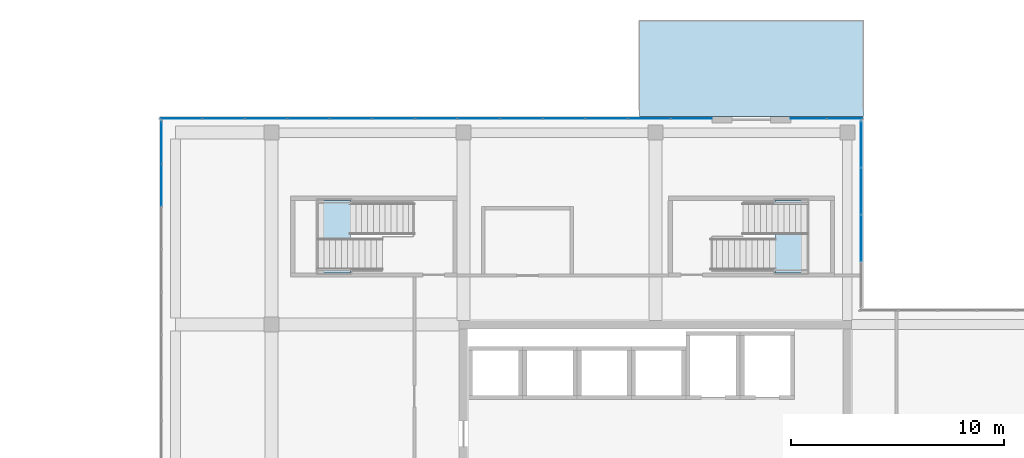
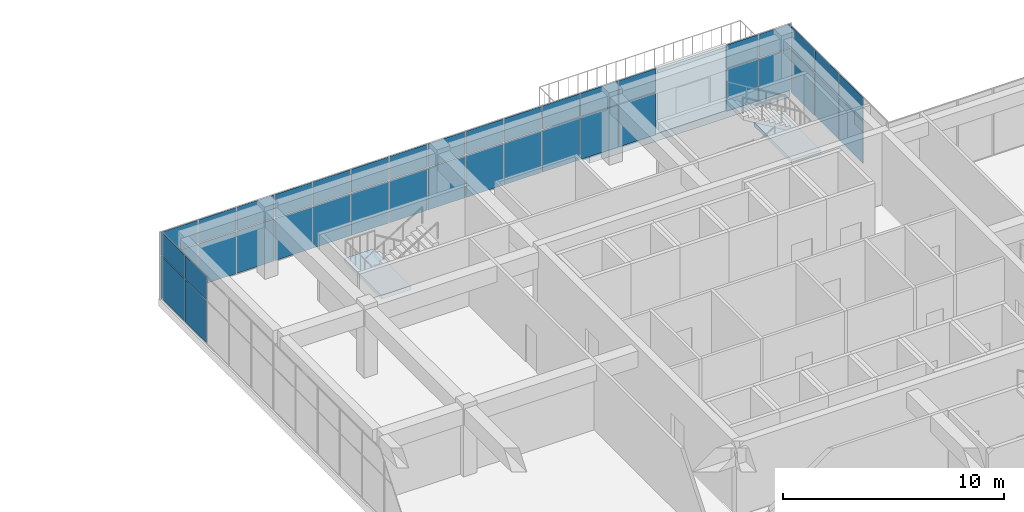
# One storey, part 38 of 49: 40 plates, 3 slabs, 6 elements without a shape of their own.
"""IFC4 building model written with IfcOpenShell, lengths in metres."""

from ifc_helpers import new_model, si_unit, direction, frame, origin, origin_2d, place, context, subcontext, project, spatial, polyline, rectangle, outline, extrude, material, layer, layer_set, type_object, element, aggregate, save


model = new_model("IFC4")

# Units and contexts
model_context = context("Model", 3, precision=1e-05, world=origin(), true_north=direction((0.0, 1.0)))
body_context = subcontext(model_context, "Body", "Model", "MODEL_VIEW")
ifc_project = project(units=[si_unit("LENGTHUNIT", "METRE"), si_unit("AREAUNIT", "SQUARE_METRE"), si_unit("VOLUMEUNIT", "CUBIC_METRE"), si_unit("PLANEANGLEUNIT", "RADIAN"), si_unit("MASSUNIT", "GRAM", prefix="KILO")], contexts=[model_context])

# Site, building, storey
site_placement = place(None, origin())
site = spatial("IfcSite", under=ifc_project, at=site_placement, CompositionType="ELEMENT")
building_placement = place(site_placement, origin())
building = spatial("IfcBuilding", under=site, at=building_placement, Name="Tuart Plaza Theatre", CompositionType="ELEMENT")
storey_placement = place(building_placement, frame((0.0, 0.0, 29.5)))
storey = spatial("IfcBuildingStorey", under=building, at=storey_placement, Name="L07", CompositionType="ELEMENT", Elevation=29.5)

# Curtain wall, plates
ifc_material_1 = material(Name="Aluminium and glass", Category="aluminium")
ifc_layer_1 = layer(ifc_material_1, 0.10009765625)
ifc_layer_set_1 = layer_set([ifc_layer_1], Name="CURTAIN WALL 2000 module")
curtain_wall_type = type_object("IfcCurtainWallType", Name="CURTAIN WALL 2000 module", PredefinedType="NOTDEFINED", material=ifc_layer_set_1)
curtain_wall_1_placement = place(storey_placement, origin())
curtain_wall_1 = element("IfcCurtainWall", 1, at=curtain_wall_1_placement, inside=storey, type_object=curtain_wall_type, Name="CW94", PredefinedType="NOTDEFINED")
ifc_material_2 = material(Name="Glass", Category="glass")
ifc_layer_2 = layer(ifc_material_2, 0.028076171875)
ifc_layer_set_2 = layer_set([ifc_layer_2], Name="CURTAIN PANEL double glazed 28")
plate_type = type_object("IfcPlateType", Name="CURTAIN PANEL double glazed 28", PredefinedType="CURTAIN_PANEL", material=ifc_layer_set_2)
plate_1_placement = place(storey_placement, frame((141.64990234375, 87.050048828125, 0.0498046875), z_axis=(0.0, 0.0, 1.0), x_axis=(0.0, 1.0, 0.0)))
plate_1 = element("IfcPlate", 2, at=plate_1_placement, type_object=plate_type, Name="CW94 panel 2.1", PredefinedType="CURTAIN_PANEL", context=body_context, shape_type="SweptSolid", body=[
    extrude(rectangle(XDim=2.14990234375, YDim=0.028076171875, at=origin_2d()), origin(), (0.0, 0.0, 1.0), 2.324951171875),
])
plate_2_placement = place(storey_placement, frame((141.64990234375, 87.050048828125, 2.425048828125), z_axis=(0.0, 0.0, 1.0), x_axis=(0.0, 1.0, 0.0)))
plate_2 = element("IfcPlate", 3, at=plate_2_placement, type_object=plate_type, Name="CW94 panel 2.2", PredefinedType="CURTAIN_PANEL", context=body_context, shape_type="SweptSolid", body=[
    extrude(rectangle(XDim=2.14990234375, YDim=0.028076171875, at=origin_2d()), origin(), (0.0, 0.0, 1.0), 1.27490234375),
])
plate_3_placement = place(storey_placement, frame((141.64990234375, 89.25, 0.0498046875), z_axis=(0.0, 0.0, 1.0), x_axis=(0.0, 1.0, 0.0)))
plate_3 = element("IfcPlate", 4, at=plate_3_placement, type_object=plate_type, Name="CW94 panel 3.1", PredefinedType="CURTAIN_PANEL", context=body_context, shape_type="SweptSolid", body=[
    extrude(rectangle(XDim=2.14990234375, YDim=0.028076171875, at=origin_2d()), origin(), (0.0, 0.0, 1.0), 2.324951171875),
])
plate_4_placement = place(storey_placement, frame((141.64990234375, 89.25, 2.425048828125), z_axis=(0.0, 0.0, 1.0), x_axis=(0.0, 1.0, 0.0)))
plate_4 = element("IfcPlate", 5, at=plate_4_placement, type_object=plate_type, Name="CW94 panel 3.2", PredefinedType="CURTAIN_PANEL", context=body_context, shape_type="SweptSolid", body=[
    extrude(rectangle(XDim=2.14990234375, YDim=0.028076171875, at=origin_2d()), origin(), (0.0, 0.0, 1.0), 1.27490234375),
])
plate_5_placement = place(storey_placement, frame((141.64990234375, 91.4375, 0.0498046875), z_axis=(0.0, 0.0, 1.0), x_axis=(0.0, 1.0, 0.0)))
plate_5 = element("IfcPlate", 6, at=plate_5_placement, type_object=plate_type, Name="CW94 panel 4.1", PredefinedType="CURTAIN_PANEL", context=body_context, shape_type="SweptSolid", body=[
    extrude(rectangle(XDim=2.125, YDim=0.028076171875, at=origin_2d()), origin(), (0.0, 0.0, 1.0), 2.324951171875),
])
plate_6_placement = place(storey_placement, frame((141.64990234375, 91.4375, 2.425048828125), z_axis=(0.0, 0.0, 1.0), x_axis=(0.0, 1.0, 0.0)))
plate_6 = element("IfcPlate", 7, at=plate_6_placement, type_object=plate_type, Name="CW94 panel 4.2", PredefinedType="CURTAIN_PANEL", context=body_context, shape_type="SweptSolid", body=[
    extrude(rectangle(XDim=2.125, YDim=0.028076171875, at=origin_2d()), origin(), (0.0, 0.0, 1.0), 1.27490234375),
])
aggregate(curtain_wall_1, [plate_1, plate_2, plate_3, plate_4, plate_5, plate_6])

curtain_wall_2_placement = place(storey_placement, origin())
curtain_wall_2 = element("IfcCurtainWall", 8, at=curtain_wall_2_placement, inside=storey, type_object=curtain_wall_type, Name="CW95", PredefinedType="NOTDEFINED")
plate_7_placement = place(storey_placement, frame((140.875, 92.64990234375, 0.0498046875), z_axis=(0.0, 0.0, 1.0), x_axis=(-1.0, 0.0, 0.0)))
plate_7 = element("IfcPlate", 9, at=plate_7_placement, type_object=plate_type, Name="CW95 panel 1.1", PredefinedType="CURTAIN_PANEL", context=body_context, shape_type="SweptSolid", body=[
    extrude(rectangle(XDim=1.64990234375, YDim=0.028076171875, at=origin_2d()), origin(), (0.0, 0.0, 1.0), 2.324951171875),
])
plate_8_placement = place(storey_placement, frame((140.875, 92.64990234375, 2.425048828125), z_axis=(0.0, 0.0, 1.0), x_axis=(-1.0, 0.0, 0.0)))
plate_8 = element("IfcPlate", 10, at=plate_8_placement, type_object=plate_type, Name="CW95 panel 1.2", PredefinedType="CURTAIN_PANEL", context=body_context, shape_type="SweptSolid", body=[
    extrude(rectangle(XDim=1.64990234375, YDim=0.028076171875, at=origin_2d()), origin(), (0.0, 0.0, 1.0), 1.27490234375),
])
plate_9_placement = place(storey_placement, frame((139.175048828125, 92.64990234375, 0.0498046875), z_axis=(0.0, 0.0, 1.0), x_axis=(-1.0, 0.0, 0.0)))
plate_9 = element("IfcPlate", 11, at=plate_9_placement, type_object=plate_type, Name="CW95 panel 2.1", PredefinedType="CURTAIN_PANEL", context=body_context, shape_type="SweptSolid", body=[
    extrude(rectangle(XDim=1.64990234375, YDim=0.028076171875, at=origin_2d()), origin(), (0.0, 0.0, 1.0), 2.324951171875),
])
plate_10_placement = place(storey_placement, frame((139.175048828125, 92.64990234375, 2.425048828125), z_axis=(0.0, 0.0, 1.0), x_axis=(-1.0, 0.0, 0.0)))
plate_10 = element("IfcPlate", 12, at=plate_10_placement, type_object=plate_type, Name="CW95 panel 2.2", PredefinedType="CURTAIN_PANEL", context=body_context, shape_type="SweptSolid", body=[
    extrude(rectangle(XDim=1.64990234375, YDim=0.028076171875, at=origin_2d()), origin(), (0.0, 0.0, 1.0), 1.27490234375),
])
aggregate(curtain_wall_2, [plate_7, plate_8, plate_9, plate_10])

curtain_wall_3_placement = place(storey_placement, origin())
curtain_wall_3 = element("IfcCurtainWall", 13, at=curtain_wall_3_placement, inside=storey, type_object=curtain_wall_type, Name="CW96", PredefinedType="NOTDEFINED")
plate_11_placement = place(storey_placement, frame((133.689453125, 92.64990234375, 0.0498046875), z_axis=(0.0, 0.0, 1.0), x_axis=(-1.0, 0.0, 0.0)))
plate_11 = element("IfcPlate", 14, at=plate_11_placement, type_object=plate_type, Name="CW96 panel 1.1", PredefinedType="CURTAIN_PANEL", context=body_context, shape_type="SweptSolid", body=[
    extrude(rectangle(XDim=1.921142578125, YDim=0.028076171875, at=origin_2d()), origin(), (0.0, 0.0, 1.0), 2.324951171875),
])
plate_12_placement = place(storey_placement, frame((133.689453125, 92.64990234375, 2.425048828125), z_axis=(0.0, 0.0, 1.0), x_axis=(-1.0, 0.0, 0.0)))
plate_12 = element("IfcPlate", 15, at=plate_12_placement, type_object=plate_type, Name="CW96 panel 1.2", PredefinedType="CURTAIN_PANEL", context=body_context, shape_type="SweptSolid", body=[
    extrude(rectangle(XDim=1.921142578125, YDim=0.028076171875, at=origin_2d()), origin(), (0.0, 0.0, 1.0), 1.27490234375),
])
plate_13_placement = place(storey_placement, frame((131.705810546875, 92.64990234375, 0.0498046875), z_axis=(0.0, 0.0, 1.0), x_axis=(-1.0, 0.0, 0.0)))
plate_13 = element("IfcPlate", 16, at=plate_13_placement, type_object=plate_type, Name="CW96 panel 2.1", PredefinedType="CURTAIN_PANEL", context=body_context, shape_type="SweptSolid", body=[
    extrude(rectangle(XDim=1.946044921875, YDim=0.028076171875, at=origin_2d()), origin(), (0.0, 0.0, 1.0), 2.324951171875),
])
plate_14_placement = place(storey_placement, frame((131.705810546875, 92.64990234375, 2.425048828125), z_axis=(0.0, 0.0, 1.0), x_axis=(-1.0, 0.0, 0.0)))
plate_14 = element("IfcPlate", 17, at=plate_14_placement, type_object=plate_type, Name="CW96 panel 2.2", PredefinedType="CURTAIN_PANEL", context=body_context, shape_type="SweptSolid", body=[
    extrude(rectangle(XDim=1.946044921875, YDim=0.028076171875, at=origin_2d()), origin(), (0.0, 0.0, 1.0), 1.27490234375),
])
plate_15_placement = place(storey_placement, frame((129.709716796875, 92.64990234375, 0.0498046875), z_axis=(0.0, 0.0, 1.0), x_axis=(-1.0, 0.0, 0.0)))
plate_15 = element("IfcPlate", 18, at=plate_15_placement, type_object=plate_type, Name="CW96 panel 3.1", PredefinedType="CURTAIN_PANEL", context=body_context, shape_type="SweptSolid", body=[
    extrude(rectangle(XDim=1.946044921875, YDim=0.028076171875, at=origin_2d()), origin(), (0.0, 0.0, 1.0), 2.324951171875),
])
plate_16_placement = place(storey_placement, frame((129.709716796875, 92.64990234375, 2.425048828125), z_axis=(0.0, 0.0, 1.0), x_axis=(-1.0, 0.0, 0.0)))
plate_16 = element("IfcPlate", 19, at=plate_16_placement, type_object=plate_type, Name="CW96 panel 3.2", PredefinedType="CURTAIN_PANEL", context=body_context, shape_type="SweptSolid", body=[
    extrude(rectangle(XDim=1.946044921875, YDim=0.028076171875, at=origin_2d()), origin(), (0.0, 0.0, 1.0), 1.27490234375),
])
plate_17_placement = place(storey_placement, frame((127.71337890625, 92.64990234375, 0.0498046875), z_axis=(0.0, 0.0, 1.0), x_axis=(-1.0, 0.0, 0.0)))
plate_17 = element("IfcPlate", 20, at=plate_17_placement, type_object=plate_type, Name="CW96 panel 4.1", PredefinedType="CURTAIN_PANEL", context=body_context, shape_type="SweptSolid", body=[
    extrude(rectangle(XDim=1.946044921875, YDim=0.028076171875, at=origin_2d()), origin(), (0.0, 0.0, 1.0), 2.324951171875),
])
plate_18_placement = place(storey_placement, frame((127.71337890625, 92.64990234375, 2.425048828125), z_axis=(0.0, 0.0, 1.0), x_axis=(-1.0, 0.0, 0.0)))
plate_18 = element("IfcPlate", 21, at=plate_18_placement, type_object=plate_type, Name="CW96 panel 4.2", PredefinedType="CURTAIN_PANEL", context=body_context, shape_type="SweptSolid", body=[
    extrude(rectangle(XDim=1.946044921875, YDim=0.028076171875, at=origin_2d()), origin(), (0.0, 0.0, 1.0), 1.27490234375),
])
plate_19_placement = place(storey_placement, frame((125.71728515625, 92.64990234375, 0.0498046875), z_axis=(0.0, 0.0, 1.0), x_axis=(-1.0, 0.0, 0.0)))
plate_19 = element("IfcPlate", 22, at=plate_19_placement, type_object=plate_type, Name="CW96 panel 5.1", PredefinedType="CURTAIN_PANEL", context=body_context, shape_type="SweptSolid", body=[
    extrude(rectangle(XDim=1.946044921875, YDim=0.028076171875, at=origin_2d()), origin(), (0.0, 0.0, 1.0), 2.324951171875),
])
plate_20_placement = place(storey_placement, frame((125.71728515625, 92.64990234375, 2.425048828125), z_axis=(0.0, 0.0, 1.0), x_axis=(-1.0, 0.0, 0.0)))
plate_20 = element("IfcPlate", 23, at=plate_20_placement, type_object=plate_type, Name="CW96 panel 5.2", PredefinedType="CURTAIN_PANEL", context=body_context, shape_type="SweptSolid", body=[
    extrude(rectangle(XDim=1.946044921875, YDim=0.028076171875, at=origin_2d()), origin(), (0.0, 0.0, 1.0), 1.27490234375),
])
plate_21_placement = place(storey_placement, frame((123.72119140625, 92.64990234375, 0.0498046875), z_axis=(0.0, 0.0, 1.0), x_axis=(-1.0, 0.0, 0.0)))
plate_21 = element("IfcPlate", 24, at=plate_21_placement, type_object=plate_type, Name="CW96 panel 6.1", PredefinedType="CURTAIN_PANEL", context=body_context, shape_type="SweptSolid", body=[
    extrude(rectangle(XDim=1.946044921875, YDim=0.028076171875, at=origin_2d()), origin(), (0.0, 0.0, 1.0), 2.324951171875),
])
plate_22_placement = place(storey_placement, frame((123.72119140625, 92.64990234375, 2.425048828125), z_axis=(0.0, 0.0, 1.0), x_axis=(-1.0, 0.0, 0.0)))
plate_22 = element("IfcPlate", 25, at=plate_22_placement, type_object=plate_type, Name="CW96 panel 6.2", PredefinedType="CURTAIN_PANEL", context=body_context, shape_type="SweptSolid", body=[
    extrude(rectangle(XDim=1.946044921875, YDim=0.028076171875, at=origin_2d()), origin(), (0.0, 0.0, 1.0), 1.27490234375),
])
plate_23_placement = place(storey_placement, frame((121.72509765625, 92.64990234375, 0.0498046875), z_axis=(0.0, 0.0, 1.0), x_axis=(-1.0, 0.0, 0.0)))
plate_23 = element("IfcPlate", 26, at=plate_23_placement, type_object=plate_type, Name="CW96 panel 7.1", PredefinedType="CURTAIN_PANEL", context=body_context, shape_type="SweptSolid", body=[
    extrude(rectangle(XDim=1.946044921875, YDim=0.028076171875, at=origin_2d()), origin(), (0.0, 0.0, 1.0), 2.324951171875),
])
plate_24_placement = place(storey_placement, frame((121.72509765625, 92.64990234375, 2.425048828125), z_axis=(0.0, 0.0, 1.0), x_axis=(-1.0, 0.0, 0.0)))
plate_24 = element("IfcPlate", 27, at=plate_24_placement, type_object=plate_type, Name="CW96 panel 7.2", PredefinedType="CURTAIN_PANEL", context=body_context, shape_type="SweptSolid", body=[
    extrude(rectangle(XDim=1.946044921875, YDim=0.028076171875, at=origin_2d()), origin(), (0.0, 0.0, 1.0), 1.27490234375),
])
plate_25_placement = place(storey_placement, frame((119.728759765625, 92.64990234375, 0.0498046875), z_axis=(0.0, 0.0, 1.0), x_axis=(-1.0, 0.0, 0.0)))
plate_25 = element("IfcPlate", 28, at=plate_25_placement, type_object=plate_type, Name="CW96 panel 8.1", PredefinedType="CURTAIN_PANEL", context=body_context, shape_type="SweptSolid", body=[
    extrude(rectangle(XDim=1.946044921875, YDim=0.028076171875, at=origin_2d()), origin(), (0.0, 0.0, 1.0), 2.324951171875),
])
plate_26_placement = place(storey_placement, frame((119.728759765625, 92.64990234375, 2.425048828125), z_axis=(0.0, 0.0, 1.0), x_axis=(-1.0, 0.0, 0.0)))
plate_26 = element("IfcPlate", 29, at=plate_26_placement, type_object=plate_type, Name="CW96 panel 8.2", PredefinedType="CURTAIN_PANEL", context=body_context, shape_type="SweptSolid", body=[
    extrude(rectangle(XDim=1.946044921875, YDim=0.028076171875, at=origin_2d()), origin(), (0.0, 0.0, 1.0), 1.27490234375),
])
plate_27_placement = place(storey_placement, frame((117.732666015625, 92.64990234375, 0.0498046875), z_axis=(0.0, 0.0, 1.0), x_axis=(-1.0, 0.0, 0.0)))
plate_27 = element("IfcPlate", 30, at=plate_27_placement, type_object=plate_type, Name="CW96 panel 9.1", PredefinedType="CURTAIN_PANEL", context=body_context, shape_type="SweptSolid", body=[
    extrude(rectangle(XDim=1.946044921875, YDim=0.028076171875, at=origin_2d()), origin(), (0.0, 0.0, 1.0), 2.324951171875),
])
plate_28_placement = place(storey_placement, frame((117.732666015625, 92.64990234375, 2.425048828125), z_axis=(0.0, 0.0, 1.0), x_axis=(-1.0, 0.0, 0.0)))
plate_28 = element("IfcPlate", 31, at=plate_28_placement, type_object=plate_type, Name="CW96 panel 9.2", PredefinedType="CURTAIN_PANEL", context=body_context, shape_type="SweptSolid", body=[
    extrude(rectangle(XDim=1.946044921875, YDim=0.028076171875, at=origin_2d()), origin(), (0.0, 0.0, 1.0), 1.27490234375),
])
plate_29_placement = place(storey_placement, frame((115.736572265625, 92.64990234375, 0.0498046875), z_axis=(0.0, 0.0, 1.0), x_axis=(-1.0, 0.0, 0.0)))
plate_29 = element("IfcPlate", 32, at=plate_29_placement, type_object=plate_type, Name="CW96 panel 10.1", PredefinedType="CURTAIN_PANEL", context=body_context, shape_type="SweptSolid", body=[
    extrude(rectangle(XDim=1.946044921875, YDim=0.028076171875, at=origin_2d()), origin(), (0.0, 0.0, 1.0), 2.324951171875),
])
plate_30_placement = place(storey_placement, frame((115.736572265625, 92.64990234375, 2.425048828125), z_axis=(0.0, 0.0, 1.0), x_axis=(-1.0, 0.0, 0.0)))
plate_30 = element("IfcPlate", 33, at=plate_30_placement, type_object=plate_type, Name="CW96 panel 10.2", PredefinedType="CURTAIN_PANEL", context=body_context, shape_type="SweptSolid", body=[
    extrude(rectangle(XDim=1.946044921875, YDim=0.028076171875, at=origin_2d()), origin(), (0.0, 0.0, 1.0), 1.27490234375),
])
plate_31_placement = place(storey_placement, frame((113.740478515625, 92.64990234375, 0.0498046875), z_axis=(0.0, 0.0, 1.0), x_axis=(-1.0, 0.0, 0.0)))
plate_31 = element("IfcPlate", 34, at=plate_31_placement, type_object=plate_type, Name="CW96 panel 11.1", PredefinedType="CURTAIN_PANEL", context=body_context, shape_type="SweptSolid", body=[
    extrude(rectangle(XDim=1.946044921875, YDim=0.028076171875, at=origin_2d()), origin(), (0.0, 0.0, 1.0), 2.324951171875),
])
plate_32_placement = place(storey_placement, frame((113.740478515625, 92.64990234375, 2.425048828125), z_axis=(0.0, 0.0, 1.0), x_axis=(-1.0, 0.0, 0.0)))
plate_32 = element("IfcPlate", 35, at=plate_32_placement, type_object=plate_type, Name="CW96 panel 11.2", PredefinedType="CURTAIN_PANEL", context=body_context, shape_type="SweptSolid", body=[
    extrude(rectangle(XDim=1.946044921875, YDim=0.028076171875, at=origin_2d()), origin(), (0.0, 0.0, 1.0), 1.27490234375),
])
plate_33_placement = place(storey_placement, frame((111.744140625, 92.64990234375, 0.0498046875), z_axis=(0.0, 0.0, 1.0), x_axis=(-1.0, 0.0, 0.0)))
plate_33 = element("IfcPlate", 36, at=plate_33_placement, type_object=plate_type, Name="CW96 panel 12.1", PredefinedType="CURTAIN_PANEL", context=body_context, shape_type="SweptSolid", body=[
    extrude(rectangle(XDim=1.946044921875, YDim=0.028076171875, at=origin_2d()), origin(), (0.0, 0.0, 1.0), 2.324951171875),
])
plate_34_placement = place(storey_placement, frame((111.744140625, 92.64990234375, 2.425048828125), z_axis=(0.0, 0.0, 1.0), x_axis=(-1.0, 0.0, 0.0)))
plate_34 = element("IfcPlate", 37, at=plate_34_placement, type_object=plate_type, Name="CW96 panel 12.2", PredefinedType="CURTAIN_PANEL", context=body_context, shape_type="SweptSolid", body=[
    extrude(rectangle(XDim=1.946044921875, YDim=0.028076171875, at=origin_2d()), origin(), (0.0, 0.0, 1.0), 1.27490234375),
])
plate_35_placement = place(storey_placement, frame((109.760498046875, 92.64990234375, 0.0498046875), z_axis=(0.0, 0.0, 1.0), x_axis=(-1.0, 0.0, 0.0)))
plate_35 = element("IfcPlate", 38, at=plate_35_placement, type_object=plate_type, Name="CW96 panel 13.1", PredefinedType="CURTAIN_PANEL", context=body_context, shape_type="SweptSolid", body=[
    extrude(rectangle(XDim=1.921142578125, YDim=0.028076171875, at=origin_2d()), origin(), (0.0, 0.0, 1.0), 2.324951171875),
])
plate_36_placement = place(storey_placement, frame((109.760498046875, 92.64990234375, 2.425048828125), z_axis=(0.0, 0.0, 1.0), x_axis=(-1.0, 0.0, 0.0)))
plate_36 = element("IfcPlate", 39, at=plate_36_placement, type_object=plate_type, Name="CW96 panel 13.2", PredefinedType="CURTAIN_PANEL", context=body_context, shape_type="SweptSolid", body=[
    extrude(rectangle(XDim=1.921142578125, YDim=0.028076171875, at=origin_2d()), origin(), (0.0, 0.0, 1.0), 1.27490234375),
])
aggregate(curtain_wall_3, [plate_11, plate_12, plate_13, plate_14, plate_15, plate_16, plate_17, plate_18, plate_19, plate_20, plate_21, plate_22, plate_23, plate_24, plate_25, plate_26, plate_27, plate_28, plate_29, plate_30, plate_31, plate_32, plate_33, plate_34, plate_35, plate_36])

curtain_wall_4_placement = place(storey_placement, origin())
curtain_wall_4 = element("IfcCurtainWall", 40, at=curtain_wall_4_placement, inside=storey, type_object=curtain_wall_type, Name="CW97", PredefinedType="NOTDEFINED")
plate_37_placement = place(storey_placement, frame((108.85009765625, 91.533935546875, 0.0498046875), z_axis=(0.0, 0.0, 1.0), x_axis=(0.0, -1.0, 0.0)))
plate_37 = element("IfcPlate", 41, at=plate_37_placement, type_object=plate_type, Name="CW97 panel 1.1", PredefinedType="CURTAIN_PANEL", context=body_context, shape_type="SweptSolid", body=[
    extrude(rectangle(XDim=1.93212890625, YDim=0.028076171875, at=origin_2d()), origin(), (0.0, 0.0, 1.0), 2.324951171875),
])
plate_38_placement = place(storey_placement, frame((108.85009765625, 91.533935546875, 2.425048828125), z_axis=(0.0, 0.0, 1.0), x_axis=(0.0, -1.0, 0.0)))
plate_38 = element("IfcPlate", 42, at=plate_38_placement, type_object=plate_type, Name="CW97 panel 1.2", PredefinedType="CURTAIN_PANEL", context=body_context, shape_type="SweptSolid", body=[
    extrude(rectangle(XDim=1.93212890625, YDim=0.028076171875, at=origin_2d()), origin(), (0.0, 0.0, 1.0), 1.27490234375),
])
plate_39_placement = place(storey_placement, frame((108.85009765625, 89.539306640625, 0.0498046875), z_axis=(0.0, 0.0, 1.0), x_axis=(0.0, -1.0, 0.0)))
plate_39 = element("IfcPlate", 43, at=plate_39_placement, type_object=plate_type, Name="CW97 panel 2.1", PredefinedType="CURTAIN_PANEL", context=body_context, shape_type="SweptSolid", body=[
    extrude(rectangle(XDim=1.95703125, YDim=0.028076171875, at=origin_2d()), origin(), (0.0, 0.0, 1.0), 2.324951171875),
])
plate_40_placement = place(storey_placement, frame((108.85009765625, 89.539306640625, 2.425048828125), z_axis=(0.0, 0.0, 1.0), x_axis=(0.0, -1.0, 0.0)))
plate_40 = element("IfcPlate", 44, at=plate_40_placement, type_object=plate_type, Name="CW97 panel 2.2", PredefinedType="CURTAIN_PANEL", context=body_context, shape_type="SweptSolid", body=[
    extrude(rectangle(XDim=1.95703125, YDim=0.028076171875, at=origin_2d()), origin(), (0.0, 0.0, 1.0), 1.27490234375),
])
aggregate(curtain_wall_4, [plate_37, plate_38, plate_39, plate_40])

# Slab
ifc_material_3 = material(Name="Concrete N40 (40 MPa)", Category="concrete")
ifc_layer_3 = layer(ifc_material_3, 0.419921875)
ifc_layer_set_3 = layer_set([ifc_layer_3], Name="SLAB Floor 420 Concrete N40 (40 MPa)")
slab_type_1 = type_object("IfcSlabType", Name="SLAB Floor 420 Concrete N40 (40 MPa)", PredefinedType="FLOOR", material=ifc_layer_set_3)
slab_1_placement = place(storey_placement, frame((0.0, 0.0, -0.419921875)))
element("IfcSlab", 45, at=slab_1_placement, inside=storey, type_object=slab_type_1, Name="S94", PredefinedType="FLOOR", context=body_context, shape_type="SweptSolid", body=[
    extrude(outline(polyline([(131.25, 92.75), (141.75, 92.75), (141.75, 97.25), (131.25, 97.25), (131.25, 92.75)])), origin(), (0.0, 0.0, 1.0), 0.419921875),
])

# Stair, slab
ifc_material_4 = material(Name="Concrete N40 (40 MPa)", Category="concrete")
stair_type = type_object("IfcStairType", Name="STAIR half turn 1500", PredefinedType="HALF_TURN_STAIR", material=ifc_material_4)
stair_1_placement = place(storey_placement, origin())
stair_1 = element("IfcStair", 46, at=stair_1_placement, inside=storey, type_object=stair_type, Name="SC-10", PredefinedType="HALF_TURN_STAIR")
ifc_material_5 = material(Name="Concrete N40 (40 MPa)", Category="concrete")
ifc_layer_4 = layer(ifc_material_5, 0.199951171875)
ifc_layer_set_4 = layer_set([ifc_layer_4], Name="STAIR LANDING 200")
slab_type_2 = type_object("IfcSlabType", Name="STAIR LANDING 200", PredefinedType="LANDING", material=ifc_layer_set_4)
slab_2_placement = place(storey_placement, frame((0.0, 0.0, 1.800048828125)))
slab_2 = element("IfcSlab", 47, at=slab_2_placement, type_object=slab_type_2, Name="SC-10 landing 1", PredefinedType="LANDING", context=body_context, shape_type="SweptSolid", body=[
    extrude(outline(polyline([(137.60009765625, 85.427001953125), (139.1298828125, 85.427001953125), (139.1298828125, 88.822998046875), (137.60009765625, 88.822998046875), (137.60009765625, 85.427001953125)])), origin(), (0.0, 0.0, 1.0), 0.199951171875),
])
aggregate(stair_1, [slab_2])

stair_2_placement = place(storey_placement, origin())
stair_2 = element("IfcStair", 48, at=stair_2_placement, inside=storey, type_object=stair_type, Name="SC-16", PredefinedType="HALF_TURN_STAIR")
slab_3_placement = place(storey_placement, frame((0.0, 0.0, 1.800048828125)))
slab_3 = element("IfcSlab", 49, at=slab_3_placement, type_object=slab_type_2, Name="SC-16 landing 1", PredefinedType="LANDING", context=body_context, shape_type="SweptSolid", body=[
    extrude(outline(polyline([(117.699951171875, 88.822998046875), (116.169921875, 88.822998046875), (116.169921875, 85.427001953125), (117.699951171875, 85.427001953125), (117.699951171875, 88.822998046875)])), origin(), (0.0, 0.0, 1.0), 0.199951171875),
])
aggregate(stair_2, [slab_3])

save(model, "model.ifc")
